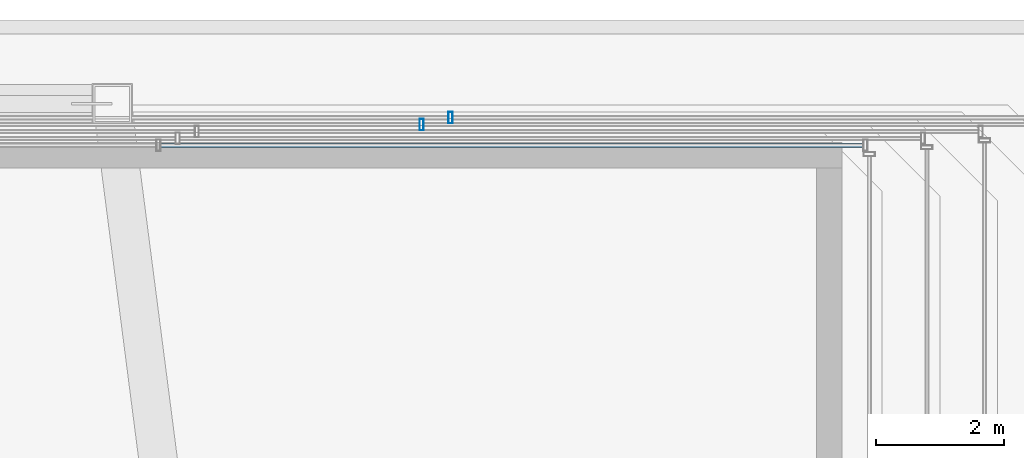
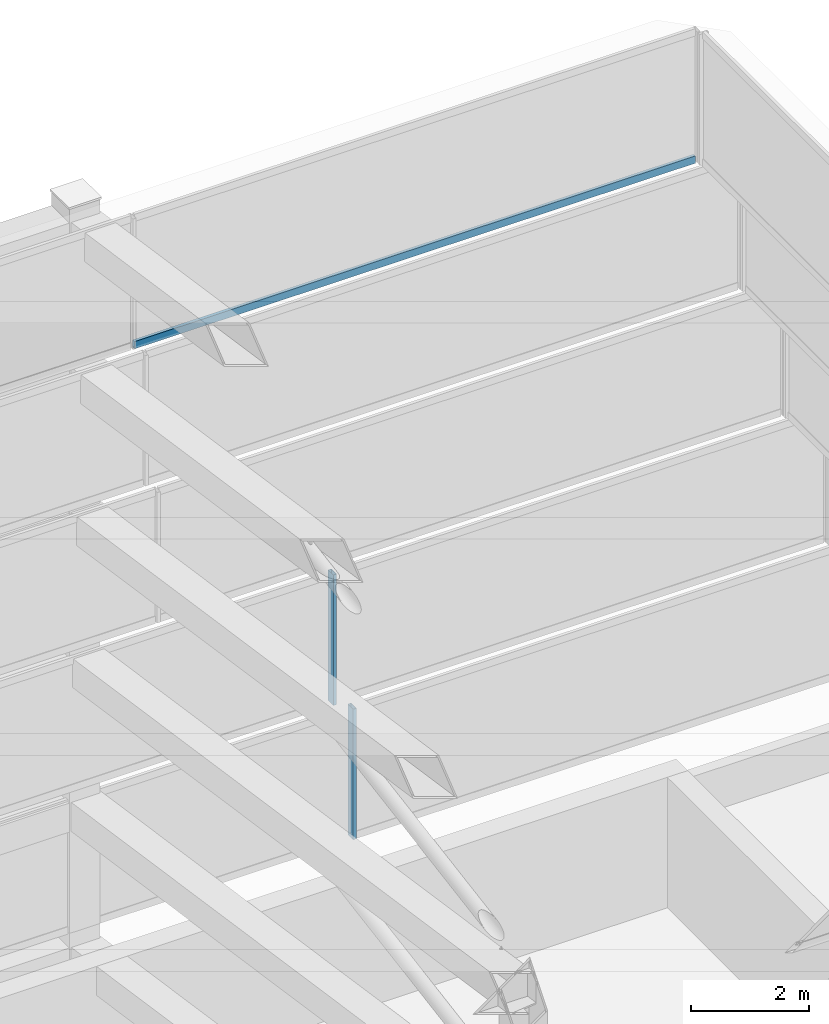
# One storey, part 24 of 29: 3 members, 3 elements without a shape of their own.
"""IFC4 building model written with IfcOpenShell, lengths in metres."""

import ifcopenshell
import ifcopenshell.guid

model = None  # the IFC model being written
_history = None  # IfcOwnerHistory: only IFC2X3 demands one
_inside = {}  # id of a spatial element -> (the spatial element, [elements in it])
_under = {}  # id of a project, library or spatial element -> (it, [spatial elements below it])
_declared = {}  # id of a project -> (the project, [libraries it declares])
_typed = {}  # id of a type object -> (the type object, [elements of that type])
_made_of = {}  # id of a material, layer set ... -> (it, [elements and type objects made of it])


def new_model(schema):
    """Start an empty IFC model of exactly this schema.

    Asked for "IFC4X3", IfcOpenShell would pick the latest addendum, in which some entities
    have other attributes; the version numbers below select the first issue.
    IFC2X3 requires an IfcOwnerHistory on every rooted entity: one is made here for all.
    """
    global model, _history
    if schema == "IFC4X3":
        model = ifcopenshell.file(schema_version=(4, 3, 0, 0))
    else:
        model = ifcopenshell.file(schema=schema)
    _inside.clear()
    _under.clear()
    _declared.clear()
    _typed.clear()
    _made_of.clear()
    _history = None
    if model.schema == "IFC2X3":
        org = make("IfcOrganization", Name="unknown")
        user = make(
            "IfcPersonAndOrganization",
            ThePerson=make("IfcPerson", FamilyName="unknown"),
            TheOrganization=org,
        )
        app = make(
            "IfcApplication",
            ApplicationDeveloper=org,
            Version="unknown",
            ApplicationFullName="unknown",
            ApplicationIdentifier="unknown",
        )
        _history = make(
            "IfcOwnerHistory",
            OwningUser=user,
            OwningApplication=app,
            ChangeAction="ADDED",
            CreationDate=0,
        )
    return model


def make(cls, **values):
    """One entity of the class cls with the attributes given. An attribute that is None is left unset."""
    return model.create_entity(
        cls, **{name: value for name, value in values.items() if value is not None}
    )


def rooted(cls, **values):
    """An entity with a GlobalId (a new one), such as an element, a storey or a relation."""
    return make(cls, GlobalId=ifcopenshell.guid.new(), OwnerHistory=_history, **values)


def si_unit(unit_type, name, prefix=None):
    """IfcSIUnit, for example si_unit("LENGTHUNIT", "METRE", prefix="MILLI")."""
    return make("IfcSIUnit", UnitType=unit_type, Prefix=prefix, Name=name)


def assignment(units):
    """IfcUnitAssignment: the units of a project."""
    return None if units is None else make("IfcUnitAssignment", Units=units)


def point(xyz):
    """IfcCartesianPoint."""
    return None if xyz is None else make("IfcCartesianPoint", Coordinates=xyz)


def direction(xyz):
    """IfcDirection."""
    return None if xyz is None else make("IfcDirection", DirectionRatios=xyz)


def frame(location, z_axis=None, x_axis=None):
    """IfcAxis2Placement3D, a coordinate frame: its origin and axes. An axis left out is left unset."""
    return make(
        "IfcAxis2Placement3D",
        Location=point(location),
        Axis=direction(z_axis),
        RefDirection=direction(x_axis),
    )


def frame_2d(location, x_axis=None):
    """IfcAxis2Placement2D, a coordinate frame in the plane: its origin and x axis."""
    return make(
        "IfcAxis2Placement2D", Location=point(location), RefDirection=direction(x_axis)
    )


def origin():
    """The frame at (0, 0, 0) with its axes left unset."""
    return frame((0.0, 0.0, 0.0))


def origin_2d():
    """The frame at (0, 0) in the plane with its x axis left unset."""
    return frame_2d((0.0, 0.0))


def place(relative_to, where):
    """IfcLocalPlacement: puts the frame where relative to a parent placement (None: the world)."""
    return make(
        "IfcLocalPlacement", PlacementRelTo=relative_to, RelativePlacement=where
    )


def context(
    kind, dimensions, precision=None, world=None, true_north=None, identifier=None
):
    """IfcGeometricRepresentationContext, for example the 3D "Model" context."""
    return make(
        "IfcGeometricRepresentationContext",
        ContextIdentifier=identifier,
        ContextType=kind,
        CoordinateSpaceDimension=dimensions,
        Precision=precision,
        WorldCoordinateSystem=world,
        TrueNorth=true_north,
    )


def subcontext(parent, identifier, kind, view, scale=None):
    """IfcGeometricRepresentationSubContext, for example "Body" below "Model"."""
    return make(
        "IfcGeometricRepresentationSubContext",
        ContextIdentifier=identifier,
        ContextType=kind,
        ParentContext=parent,
        TargetScale=scale,
        TargetView=view,
    )


def project(units=None, contexts=None):
    """IfcProject with its units and contexts."""
    return rooted(
        "IfcProject",
        Name="project",
        RepresentationContexts=contexts,
        UnitsInContext=assignment(units),
    )


def spatial(cls, under=None, at=None, **own):
    """A site, building, storey or space (cls), placed at a placement, below another one or the project."""
    s = rooted(cls, ObjectPlacement=at, **own)
    if under is not None:
        _under.setdefault(under.id(), (under, []))[1].append(s)
    return s


def profile(cls, at=None, kind="AREA", **sizes):
    """A parametric profile (cls). Its sizes go by their IFC names, for example OverallWidth=200.0."""
    return make(cls, ProfileType=kind, Position=at, **sizes)


def hollow_rectangle(**sizes):
    """IfcRectangleHollowProfileDef."""
    return profile("IfcRectangleHollowProfileDef", **sizes)


def extrude(swept, where, along, depth):
    """IfcExtrudedAreaSolid: the profile swept, set in the frame where, extruded along a direction by depth."""
    return make(
        "IfcExtrudedAreaSolid",
        SweptArea=swept,
        Position=where,
        ExtrudedDirection=direction(along),
        Depth=depth,
    )


def shape(context_of_items, identifier, shape_type, items):
    """IfcShapeRepresentation: the items that make up one representation, for example the "Body"."""
    return make(
        "IfcShapeRepresentation",
        ContextOfItems=context_of_items,
        RepresentationIdentifier=identifier,
        RepresentationType=shape_type,
        Items=items,
    )


def material(Name=None, Category=None):
    """IfcMaterial."""
    return make("IfcMaterial", Name=Name, Category=Category)


def material_profile(
    of_material, cross_section, Name=None, Category=None, Priority=None
):
    """IfcMaterialProfile: a cross section and its material."""
    return make(
        "IfcMaterialProfile",
        Name=Name,
        Material=of_material,
        Profile=cross_section,
        Priority=Priority,
        Category=Category,
    )


def profile_set(profiles, Name=None, composite=None):
    """IfcMaterialProfileSet."""
    return make(
        "IfcMaterialProfileSet",
        Name=Name,
        MaterialProfiles=profiles,
        CompositeProfile=composite,
    )


def made_of(thing, what):
    """Note that an element or type object is made of a material, layer set ...; save() writes the relation."""
    if what is not None:
        _made_of.setdefault(what.id(), (what, []))[1].append(thing)
    return thing


def type_object(cls, material=None, **own):
    """A type object (cls), such as IfcWallType, which elements share."""
    return made_of(rooted(cls, **own), material)


def element(
    cls,
    number,
    at=None,
    inside=None,
    cuts=None,
    type_object=None,
    material=None,
    context=None,
    identifier="Body",
    shape_type=None,
    held_by="IfcProductDefinitionShape",
    body=None,
    shapes=None,
    **own,
):
    """One element of the class cls, such as IfcWall. Its Tag is "e" and its number.

    at: its placement. inside: the storey or other place that contains it. cuts: it is an
    opening in that element (IfcRelVoidsElement). A single representation is given by context,
    identifier, shape_type and body (its items); several are given by shapes. held_by: the class
    of the entity that holds the representations. save() writes the other relations.
    """
    e = rooted(cls, Tag="e%d" % number, ObjectPlacement=at, **own)
    if body is not None:
        shapes = [shape(context, identifier, shape_type, body)]
    if shapes is not None:
        e.Representation = make(held_by, Representations=shapes)
    if inside is not None:
        _inside.setdefault(inside.id(), (inside, []))[1].append(e)
    if cuts is not None:
        rooted(
            "IfcRelVoidsElement", RelatingBuildingElement=cuts, RelatedOpeningElement=e
        )
    if type_object is not None:
        _typed.setdefault(type_object.id(), (type_object, []))[1].append(e)
    return made_of(e, material)


def aggregate(whole, parts):
    """IfcRelAggregates: a whole, such as a stair, and the parts it consists of."""
    return rooted("IfcRelAggregates", RelatingObject=whole, RelatedObjects=parts)


def save(model, path):
    """Write the relations noted so far, then the file.

    IfcRelAggregates (storeys below a building ...), IfcRelContainedInSpatialStructure (elements
    in a storey), IfcRelDefinesByType, IfcRelAssociatesMaterial and IfcRelDeclares: one each for
    every whole, place, type object, material and project.
    """
    for whole, parts in _under.values():
        aggregate(whole, parts)
    for where, things in _inside.values():
        rooted(
            "IfcRelContainedInSpatialStructure",
            RelatedElements=things,
            RelatingStructure=where,
        )
    for kind, things in _typed.values():
        rooted("IfcRelDefinesByType", RelatedObjects=things, RelatingType=kind)
    for what, things in _made_of.values():
        rooted("IfcRelAssociatesMaterial", RelatedObjects=things, RelatingMaterial=what)
    for by, libraries in _declared.values():
        rooted("IfcRelDeclares", RelatingContext=by, RelatedDefinitions=libraries)
    model.write(path)


model = new_model("IFC4")

# Units and contexts
model_context = context("Model", 3, precision=1e-05, world=origin(), true_north=direction((0.0, 1.0)))
body_context = subcontext(model_context, "Body", "Model", "MODEL_VIEW")
ifc_project = project(units=[si_unit("LENGTHUNIT", "METRE"), si_unit("AREAUNIT", "SQUARE_METRE"), si_unit("VOLUMEUNIT", "CUBIC_METRE"), si_unit("PLANEANGLEUNIT", "RADIAN"), si_unit("MASSUNIT", "GRAM", prefix="KILO")], contexts=[model_context])

# Site, building, storey
site_placement = place(None, origin())
site = spatial("IfcSite", under=ifc_project, at=site_placement, CompositionType="ELEMENT")
building_placement = place(site_placement, origin())
building = spatial("IfcBuilding", under=site, at=building_placement, Name="Saevonmaru Cultural Tower", CompositionType="ELEMENT")
storey_placement = place(building_placement, frame((0.0, 0.0, 327.60009765625)))
storey = spatial("IfcBuildingStorey", under=building, at=storey_placement, Name="RF", CompositionType="ELEMENT", Elevation=327.60009765625)

# Curtain wall, member
ifc_material = material(Name="Satin Bronze Anodised Aluminium", Category="aluminium")
curtain_wall_type = type_object("IfcCurtainWallType", Name="CW-TYP-B", PredefinedType="NOTDEFINED", material=ifc_material)
curtain_wall_1_placement = place(storey_placement, origin())
curtain_wall_1 = element("IfcCurtainWall", 1, at=curtain_wall_1_placement, inside=storey, type_object=curtain_wall_type, Name="RF Ziggurat Crown Tier 2 Bronze Louvre Screen 3", PredefinedType="NOTDEFINED")
ifc_material_profile_1 = material_profile(ifc_material, hollow_rectangle(XDim=0.06494140625, YDim=0.179931640625, WallThickness=0.00390625, at=origin_2d()), Name="ALU-MULL-180x65x4")
ifc_profile_set_1 = profile_set([ifc_material_profile_1], Name="Satin Bronze Anodised Aluminium")
member_type_1 = type_object("IfcMemberType", Name="ML-CW-180x65", PredefinedType="MULLION", material=ifc_profile_set_1)
member_1_placement = place(storey_placement, frame((40.08349609375, 54.583984375, 3.0), z_axis=(0.0, 0.0, 1.0), x_axis=(-1.0, 0.0, 0.0)))
member_1 = element("IfcMember", 2, at=member_1_placement, type_object=member_type_1, Name="CW-CROWN-T2-3 mullion 2", PredefinedType="MULLION", context=body_context, shape_type="SweptSolid", body=[
    extrude(hollow_rectangle(XDim=0.06494140625, YDim=0.179931640625, WallThickness=0.00390625, at=origin_2d()), origin(), (0.0, 0.0, 1.0), 2.699951171875),
])
aggregate(curtain_wall_1, [member_1])

curtain_wall_2_placement = place(storey_placement, origin())
curtain_wall_2 = element("IfcCurtainWall", 3, at=curtain_wall_2_placement, inside=storey, type_object=curtain_wall_type, Name="RF Ziggurat Crown Tier 3 Bronze Louvre Screen 3", PredefinedType="NOTDEFINED")
member_2_placement = place(storey_placement, frame((39.633544921875, 54.47607421875, 6.0), z_axis=(0.0, 0.0, 1.0), x_axis=(-1.0, 0.0, 0.0)))
member_2 = element("IfcMember", 4, at=member_2_placement, type_object=member_type_1, Name="CW-CROWN-T3-3 mullion 2", PredefinedType="MULLION", context=body_context, shape_type="SweptSolid", body=[
    extrude(hollow_rectangle(XDim=0.06494140625, YDim=0.179931640625, WallThickness=0.00390625, at=origin_2d()), origin(), (0.0, 0.0, 1.0), 2.699951171875),
])
aggregate(curtain_wall_2, [member_2])

curtain_wall_3_placement = place(storey_placement, origin())
curtain_wall_3 = element("IfcCurtainWall", 5, at=curtain_wall_3_placement, inside=storey, type_object=curtain_wall_type, Name="RF Ziggurat Crown Tier 6 Bronze Louvre Screen 3", PredefinedType="NOTDEFINED")
ifc_material_profile_2 = material_profile(ifc_material, hollow_rectangle(XDim=0.06494140625, YDim=0.14990234375, WallThickness=0.00390625, at=origin_2d()), Name="ALU-TRAN-150x65x4")
ifc_profile_set_2 = profile_set([ifc_material_profile_2], Name="Satin Bronze Anodised Aluminium")
member_type_2 = type_object("IfcMemberType", Name="TR-CW-150x65", PredefinedType="USERDEFINED", material=ifc_profile_set_2)
member_3_placement = place(storey_placement, frame((46.534423828125, 54.152099609375, 15.032470703125), z_axis=(-1.0, 0.0, 0.0), x_axis=(0.0, -1.0, 0.0)))
member_3 = element("IfcMember", 6, at=member_3_placement, type_object=member_type_2, Name="CW-CROWN-T6-3 transom 1.1", ObjectType="TRANSOM", PredefinedType="USERDEFINED", context=body_context, shape_type="SweptSolid", body=[
    extrude(hollow_rectangle(XDim=0.06494140625, YDim=0.14990234375, WallThickness=0.00390625, at=origin_2d()), origin(), (0.0, 0.0, 1.0), 10.9794921875),
])
aggregate(curtain_wall_3, [member_3])

save(model, "model.ifc")
